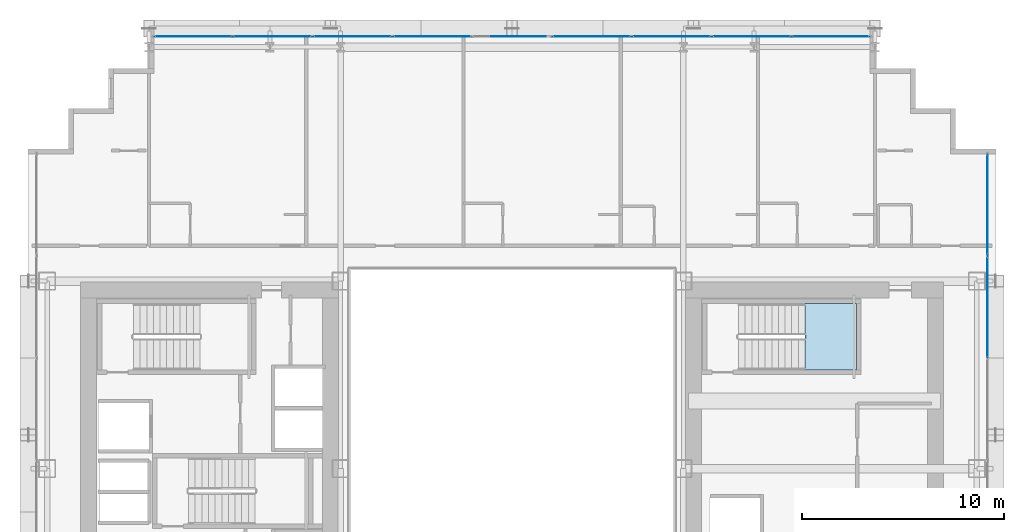
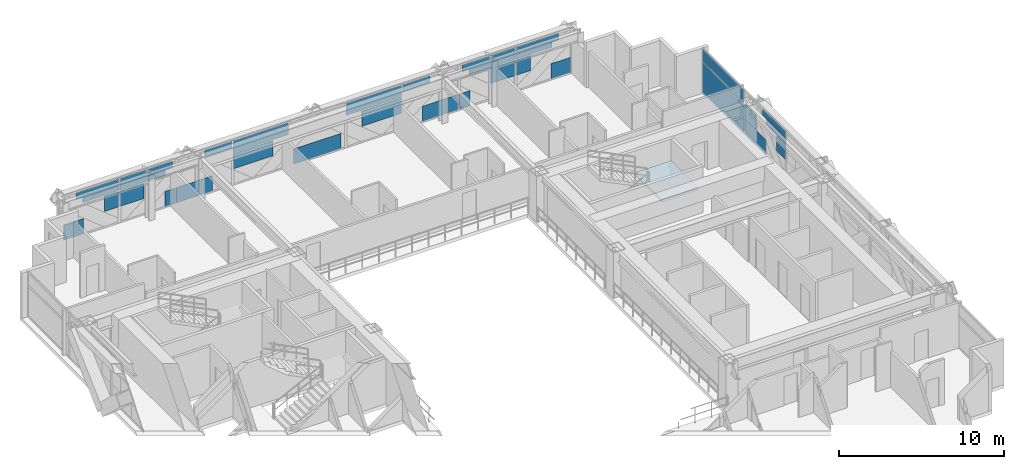
# One storey, part 27 of 38: 32 plates, 1 slab, 3 elements without a shape of their own.
"""IFC4 building model written with IfcOpenShell, lengths in metres."""

from ifc_helpers import new_model, si_unit, direction, frame, origin, origin_2d, place, context, subcontext, project, spatial, polyline, rectangle, outline, extrude, source, transform, mapped, material, layer, layer_set, type_object, element, aggregate, save


model = new_model("IFC4")

# Units and contexts
model_context = context("Model", 3, precision=1e-05, world=origin(), true_north=direction((0.0, 1.0)))
body_context = subcontext(model_context, "Body", "Model", "MODEL_VIEW")
ifc_project = project(units=[si_unit("LENGTHUNIT", "METRE"), si_unit("AREAUNIT", "SQUARE_METRE"), si_unit("VOLUMEUNIT", "CUBIC_METRE"), si_unit("PLANEANGLEUNIT", "RADIAN"), si_unit("MASSUNIT", "GRAM", prefix="KILO")], contexts=[model_context])

# Site, building, storey
site_placement = place(None, origin())
site = spatial("IfcSite", under=ifc_project, at=site_placement, CompositionType="ELEMENT")
building_placement = place(site_placement, origin())
building = spatial("IfcBuilding", under=site, at=building_placement, Name="Ocotamira Hotel", CompositionType="ELEMENT")
storey_placement = place(building_placement, frame((0.0, 0.0, 60.0)))
storey = spatial("IfcBuildingStorey", under=building, at=storey_placement, Name="L14", CompositionType="ELEMENT", Elevation=60.0)

# Stair, slab
ifc_material_1 = material(Name="Concrete C40/50", Category="concrete")
stair_type = type_object("IfcStairType", Name="ST-CORE-1560", PredefinedType="HALF_TURN_STAIR", material=ifc_material_1)
stair_placement = place(storey_placement, origin())
stair = element("IfcStair", 1, at=stair_placement, inside=storey, type_object=stair_type, Name="L14 Exit Stair ST-4", PredefinedType="HALF_TURN_STAIR")
ifc_layer_1 = layer(ifc_material_1, 0.199951171875)
ifc_layer_set_1 = layer_set([ifc_layer_1], Name="Concrete C40/50")
slab_type = type_object("IfcSlabType", Name="SLB-LAND-200", PredefinedType="LANDING", material=ifc_layer_set_1)
slab_placement = place(storey_placement, frame((0.0, 0.0, 1.60009765625)))
slab = element("IfcSlab", 2, at=slab_placement, type_object=slab_type, Name="ST-4 landing 1", PredefinedType="LANDING", context=body_context, shape_type="SweptSolid", body=[
    extrude(outline(polyline([(46.530029296875, 33.050048828125), (49.090087890625, 33.050048828125), (49.090087890625, 36.330078125), (46.530029296875, 36.330078125), (46.530029296875, 33.050048828125)])), origin(), (0.0, 0.0, 1.0), 0.199951171875),
])
aggregate(stair, [slab])

# Curtain wall, plates
ifc_material_2 = material(Name="Anodised pale-metal aluminium and solar glass", Category="aluminium")
ifc_layer_2 = layer(ifc_material_2, 0.179931640625)
ifc_layer_set_2 = layer_set([ifc_layer_2], Name="Anodised pale-metal aluminium and solar glass")
curtain_wall_type = type_object("IfcCurtainWallType", Name="CW-SYS2-Z1", PredefinedType="NOTDEFINED", material=ifc_layer_set_2)
curtain_wall_1_placement = place(storey_placement, origin())
curtain_wall_1 = element("IfcCurtainWall", 3, at=curtain_wall_1_placement, inside=storey, type_object=curtain_wall_type, Name="L14 Curtain Wall CW-2 CW-L14-N", PredefinedType="NOTDEFINED")
ifc_material_3 = material(Name="Double-silver low-E insulated solar glass", Category="glass")
ifc_layer_3 = layer(ifc_material_3, 0.031982421875)
ifc_layer_set_3 = layer_set([ifc_layer_3], Name="Double-silver low-E insulated solar glass")
plate_type = type_object("IfcPlateType", Name="CWP-VISION-32", PredefinedType="CURTAIN_PANEL", material=ifc_layer_set_3)
shared_shape_1 = source(origin(), body_context, "Body", "SweptSolid", [
    extrude(rectangle(XDim=3.87548828125, YDim=0.031982421875, at=origin_2d()), origin(), (0.0, 0.0, 1.0), 0.887451171875),
])
plate_1_placement = place(storey_placement, frame((28.04443359375, 49.580078125, 2.3876953125), z_axis=(0.0, 0.0, 1.0), x_axis=(1.0, 0.0, 0.0)))
plate_1 = element("IfcPlate", 4, at=plate_1_placement, type_object=plate_type, Name="CW-2 panel 4.2", PredefinedType="CURTAIN_PANEL", context=body_context, shape_type="MappedRepresentation", body=[
    mapped(shared_shape_1, transform((0.0, 0.0, 0.0), scale=1.0)),
])
plate_2_placement = place(storey_placement, frame((35.95556640625, 49.580078125, 2.3876953125), z_axis=(0.0, 0.0, 1.0), x_axis=(1.0, 0.0, 0.0)))
plate_2 = element("IfcPlate", 5, at=plate_2_placement, type_object=plate_type, Name="CW-2 panel 6.2", PredefinedType="CURTAIN_PANEL", context=body_context, shape_type="MappedRepresentation", body=[
    mapped(shared_shape_1, transform((0.0, 0.0, 0.0), scale=1.0)),
])

curtain_wall_2_placement = place(storey_placement, origin())
curtain_wall_2 = element("IfcCurtainWall", 6, at=curtain_wall_2_placement, inside=storey, type_object=curtain_wall_type, Name="L14 Curtain Wall CW-2 CW-L14-E", PredefinedType="NOTDEFINED")
shared_shape_2 = source(origin(), body_context, "Body", "SweptSolid", [
    extrude(rectangle(XDim=4.9658203125, YDim=0.031982421875, at=origin_2d()), origin(), (0.0, 0.0, 1.0), 2.237548828125),
])
plate_3_placement = place(storey_placement, frame((55.580078125, 41.237060546875, 0.0751953125), z_axis=(0.0, 0.0, 1.0), x_axis=(0.0, 1.0, 0.0)))
plate_3 = element("IfcPlate", 7, at=plate_3_placement, type_object=plate_type, Name="CW-2 panel 7.1", PredefinedType="CURTAIN_PANEL", context=body_context, shape_type="MappedRepresentation", body=[
    mapped(shared_shape_2, transform((0.0, 0.0, 0.0), scale=1.0)),
])
shared_shape_3 = source(origin(), body_context, "Body", "SweptSolid", [
    extrude(rectangle(XDim=4.9658203125, YDim=0.031982421875, at=origin_2d()), origin(), (0.0, 0.0, 1.0), 0.887451171875),
])
plate_4_placement = place(storey_placement, frame((55.580078125, 41.237060546875, 2.3876953125), z_axis=(0.0, 0.0, 1.0), x_axis=(0.0, 1.0, 0.0)))
plate_4 = element("IfcPlate", 8, at=plate_4_placement, type_object=plate_type, Name="CW-2 panel 7.2", PredefinedType="CURTAIN_PANEL", context=body_context, shape_type="MappedRepresentation", body=[
    mapped(shared_shape_3, transform((0.0, 0.0, 0.0), scale=1.0)),
])

# Plate
shared_shape_4 = source(origin(), body_context, "Body", "SweptSolid", [
    extrude(rectangle(XDim=1.382568359375, YDim=0.031982421875, at=origin_2d()), origin(), (0.0, 0.0, 1.0), 1.11865234375),
])
plate_5_placement = place(storey_placement, frame((14.97119140625, 49.580078125, 0.0751953125), z_axis=(0.0, 0.0, 1.0), x_axis=(1.0, 0.0, 0.0)))
plate_5 = element("IfcPlate", 9, at=plate_5_placement, type_object=plate_type, Name="CW-2 panel 1.1.1", PredefinedType="CURTAIN_PANEL", context=body_context, shape_type="MappedRepresentation", body=[
    mapped(shared_shape_4, transform((0.0, 0.0, 0.0), scale=1.0)),
])

plate_6_placement = place(storey_placement, frame((49.02880859375, 49.580078125, 0.0751953125), z_axis=(0.0, 0.0, 1.0), x_axis=(1.0, 0.0, 0.0)))
plate_6 = element("IfcPlate", 10, at=plate_6_placement, type_object=plate_type, Name="CW-2 panel 9.1.2", PredefinedType="CURTAIN_PANEL", context=body_context, shape_type="MappedRepresentation", body=[
    mapped(shared_shape_4, transform((0.0, 0.0, 0.0), scale=1.0)),
])

shared_shape_5 = source(origin(), body_context, "Body", "SweptSolid", [
    extrude(rectangle(XDim=1.012451171875, YDim=0.031982421875, at=origin_2d()), origin(), (0.0, 0.0, 1.0), 1.11865234375),
])
plate_7_placement = place(storey_placement, frame((17.609375, 49.580078125, 1.19384765625), z_axis=(0.0, 0.0, 1.0), x_axis=(1.0, 0.0, 0.0)))
plate_7 = element("IfcPlate", 11, at=plate_7_placement, type_object=plate_type, Name="CW-2 panel 1.1.2", PredefinedType="CURTAIN_PANEL", context=body_context, shape_type="MappedRepresentation", body=[
    mapped(shared_shape_5, transform((0.0, 0.0, 0.0), scale=1.0)),
])

plate_8_placement = place(storey_placement, frame((46.390625, 49.580078125, 1.19384765625), z_axis=(0.0, 0.0, 1.0), x_axis=(1.0, 0.0, 0.0)))
plate_8 = element("IfcPlate", 12, at=plate_8_placement, type_object=plate_type, Name="CW-2 panel 9.1.1", PredefinedType="CURTAIN_PANEL", context=body_context, shape_type="MappedRepresentation", body=[
    mapped(shared_shape_5, transform((0.0, 0.0, 0.0), scale=1.0)),
])

shared_shape_6 = source(origin(), body_context, "Body", "SweptSolid", [
    extrude(rectangle(XDim=2.9755859375, YDim=0.031982421875, at=origin_2d()), origin(), (0.0, 0.0, 1.0), 0.5107421875),
])
plate_9_placement = place(storey_placement, frame((16.627685546875, 49.580078125, 2.76416015625), z_axis=(0.0, 0.0, 1.0), x_axis=(1.0, 0.0, 0.0)))
plate_9 = element("IfcPlate", 13, at=plate_9_placement, type_object=plate_type, Name="CW-2 panel 1.2.1", PredefinedType="CURTAIN_PANEL", context=body_context, shape_type="MappedRepresentation", body=[
    mapped(shared_shape_6, transform((0.0, 0.0, 0.0), scale=1.0)),
])

plate_10_placement = place(storey_placement, frame((47.372314453125, 49.580078125, 2.76416015625), z_axis=(0.0, 0.0, 1.0), x_axis=(1.0, 0.0, 0.0)))
plate_10 = element("IfcPlate", 14, at=plate_10_placement, type_object=plate_type, Name="CW-2 panel 9.2.2", PredefinedType="CURTAIN_PANEL", context=body_context, shape_type="MappedRepresentation", body=[
    mapped(shared_shape_6, transform((0.0, 0.0, 0.0), scale=1.0)),
])

shared_shape_7 = source(origin(), body_context, "Body", "SweptSolid", [
    extrude(rectangle(XDim=2.504638671875, YDim=0.031982421875, at=origin_2d()), origin(), (0.0, 0.0, 1.0), 0.345458984375),
])
plate_11_placement = place(storey_placement, frame((16.86328125, 49.580078125, 2.3876953125), z_axis=(0.0, 0.0, 1.0), x_axis=(1.0, 0.0, 0.0)))
plate_11 = element("IfcPlate", 15, at=plate_11_placement, type_object=plate_type, Name="CW-2 panel 1.2.2", PredefinedType="CURTAIN_PANEL", context=body_context, shape_type="MappedRepresentation", body=[
    mapped(shared_shape_7, transform((0.0, 0.0, 0.0), scale=1.0)),
])

plate_12_placement = place(storey_placement, frame((47.13671875, 49.580078125, 2.3876953125), z_axis=(0.0, 0.0, 1.0), x_axis=(1.0, 0.0, 0.0)))
plate_12 = element("IfcPlate", 16, at=plate_12_placement, type_object=plate_type, Name="CW-2 panel 9.2.1", PredefinedType="CURTAIN_PANEL", context=body_context, shape_type="MappedRepresentation", body=[
    mapped(shared_shape_7, transform((0.0, 0.0, 0.0), scale=1.0)),
])

shared_shape_8 = source(origin(), body_context, "Body", "SweptSolid", [
    extrude(rectangle(XDim=1.701416015625, YDim=0.031982421875, at=origin_2d()), origin(), (0.0, 0.0, 1.0), 1.11865234375),
])
plate_13_placement = place(storey_placement, frame((19.046142578125, 49.580078125, 1.19384765625), z_axis=(0.0, 0.0, 1.0), x_axis=(1.0, 0.0, 0.0)))
plate_13 = element("IfcPlate", 17, at=plate_13_placement, type_object=plate_type, Name="CW-2 panel 2.1.1", PredefinedType="CURTAIN_PANEL", context=body_context, shape_type="MappedRepresentation", body=[
    mapped(shared_shape_8, transform((0.0, 0.0, 0.0), scale=1.0)),
])

plate_14_placement = place(storey_placement, frame((44.953857421875, 49.580078125, 1.19384765625), z_axis=(0.0, 0.0, 1.0), x_axis=(1.0, 0.0, 0.0)))
plate_14 = element("IfcPlate", 18, at=plate_14_placement, type_object=plate_type, Name="CW-2 panel 8.1.2", PredefinedType="CURTAIN_PANEL", context=body_context, shape_type="MappedRepresentation", body=[
    mapped(shared_shape_8, transform((0.0, 0.0, 0.0), scale=1.0)),
])

shared_shape_9 = source(origin(), body_context, "Body", "SweptSolid", [
    extrude(rectangle(XDim=0.733642578125, YDim=0.031982421875, at=origin_2d()), origin(), (0.0, 0.0, 1.0), 1.11865234375),
])
plate_15_placement = place(storey_placement, frame((21.704345703125, 49.580078125, 0.0751953125), z_axis=(0.0, 0.0, 1.0), x_axis=(1.0, 0.0, 0.0)))
plate_15 = element("IfcPlate", 19, at=plate_15_placement, type_object=plate_type, Name="CW-2 panel 2.1.2", PredefinedType="CURTAIN_PANEL", context=body_context, shape_type="MappedRepresentation", body=[
    mapped(shared_shape_9, transform((0.0, 0.0, 0.0), scale=1.0)),
])

plate_16_placement = place(storey_placement, frame((42.295654296875, 49.580078125, 0.0751953125), z_axis=(0.0, 0.0, 1.0), x_axis=(1.0, 0.0, 0.0)))
plate_16 = element("IfcPlate", 20, at=plate_16_placement, type_object=plate_type, Name="CW-2 panel 8.1.1", PredefinedType="CURTAIN_PANEL", context=body_context, shape_type="MappedRepresentation", body=[
    mapped(shared_shape_9, transform((0.0, 0.0, 0.0), scale=1.0)),
])

shared_shape_10 = source(origin(), body_context, "Body", "SweptSolid", [
    extrude(rectangle(XDim=3.193603515625, YDim=0.031982421875, at=origin_2d()), origin(), (0.0, 0.0, 1.0), 0.376708984375),
])
plate_17_placement = place(storey_placement, frame((19.792236328125, 49.580078125, 2.3876953125), z_axis=(0.0, 0.0, 1.0), x_axis=(1.0, 0.0, 0.0)))
plate_17 = element("IfcPlate", 21, at=plate_17_placement, type_object=plate_type, Name="CW-2 panel 2.2.1", PredefinedType="CURTAIN_PANEL", context=body_context, shape_type="MappedRepresentation", body=[
    mapped(shared_shape_10, transform((0.0, 0.0, 0.0), scale=1.0)),
])

plate_18_placement = place(storey_placement, frame((44.207763671875, 49.580078125, 2.3876953125), z_axis=(0.0, 0.0, 1.0), x_axis=(1.0, 0.0, 0.0)))
plate_18 = element("IfcPlate", 22, at=plate_18_placement, type_object=plate_type, Name="CW-2 panel 8.2.2", PredefinedType="CURTAIN_PANEL", context=body_context, shape_type="MappedRepresentation", body=[
    mapped(shared_shape_10, transform((0.0, 0.0, 0.0), scale=1.0)),
])

shared_shape_11 = source(origin(), body_context, "Body", "SweptSolid", [
    extrude(rectangle(XDim=3.664306640625, YDim=0.031982421875, at=origin_2d()), origin(), (0.0, 0.0, 1.0), 0.5107421875),
])
plate_19_placement = place(storey_placement, frame((20.027587890625, 49.580078125, 2.76416015625), z_axis=(0.0, 0.0, 1.0), x_axis=(1.0, 0.0, 0.0)))
plate_19 = element("IfcPlate", 23, at=plate_19_placement, type_object=plate_type, Name="CW-2 panel 2.2.2", PredefinedType="CURTAIN_PANEL", context=body_context, shape_type="MappedRepresentation", body=[
    mapped(shared_shape_11, transform((0.0, 0.0, 0.0), scale=1.0)),
])

plate_20_placement = place(storey_placement, frame((43.972412109375, 49.580078125, 2.76416015625), z_axis=(0.0, 0.0, 1.0), x_axis=(1.0, 0.0, 0.0)))
plate_20 = element("IfcPlate", 24, at=plate_20_placement, type_object=plate_type, Name="CW-2 panel 8.2.1", PredefinedType="CURTAIN_PANEL", context=body_context, shape_type="MappedRepresentation", body=[
    mapped(shared_shape_11, transform((0.0, 0.0, 0.0), scale=1.0)),
])

shared_shape_12 = source(origin(), body_context, "Body", "SweptSolid", [
    extrude(rectangle(XDim=2.51123046875, YDim=0.031982421875, at=origin_2d()), origin(), (0.0, 0.0, 1.0), 1.11865234375),
])
plate_21_placement = place(storey_placement, frame((23.40673828125, 49.580078125, 0.0751953125), z_axis=(0.0, 0.0, 1.0), x_axis=(1.0, 0.0, 0.0)))
plate_21 = element("IfcPlate", 25, at=plate_21_placement, type_object=plate_type, Name="CW-2 panel 3.1.1", PredefinedType="CURTAIN_PANEL", context=body_context, shape_type="MappedRepresentation", body=[
    mapped(shared_shape_12, transform((0.0, 0.0, 0.0), scale=1.0)),
])

shared_shape_13 = source(origin(), body_context, "Body", "SweptSolid", [
    extrude(rectangle(XDim=1.88671875, YDim=0.031982421875, at=origin_2d()), origin(), (0.0, 0.0, 1.0), 0.5107421875),
])
plate_22_placement = place(storey_placement, frame((25.08349609375, 49.580078125, 2.76416015625), z_axis=(0.0, 0.0, 1.0), x_axis=(1.0, 0.0, 0.0)))
plate_22 = element("IfcPlate", 26, at=plate_22_placement, type_object=plate_type, Name="CW-2 panel 3.2.1", PredefinedType="CURTAIN_PANEL", context=body_context, shape_type="MappedRepresentation", body=[
    mapped(shared_shape_13, transform((0.0, 0.0, 0.0), scale=1.0)),
])

plate_23_placement = place(storey_placement, frame((38.91650390625, 49.580078125, 2.76416015625), z_axis=(0.0, 0.0, 1.0), x_axis=(1.0, 0.0, 0.0)))
plate_23 = element("IfcPlate", 27, at=plate_23_placement, type_object=plate_type, Name="CW-2 panel 7.2.1", PredefinedType="CURTAIN_PANEL", context=body_context, shape_type="MappedRepresentation", body=[
    mapped(shared_shape_13, transform((0.0, 0.0, 0.0), scale=1.0)),
])

shared_shape_14 = source(origin(), body_context, "Body", "SweptSolid", [
    extrude(rectangle(XDim=2.790283203125, YDim=0.031982421875, at=origin_2d()), origin(), (0.0, 0.0, 1.0), 1.11865234375),
])
plate_24_placement = place(storey_placement, frame((27.501708984375, 49.580078125, 1.19384765625), z_axis=(0.0, 0.0, 1.0), x_axis=(1.0, 0.0, 0.0)))
plate_24 = element("IfcPlate", 28, at=plate_24_placement, type_object=plate_type, Name="CW-2 panel 4.1.1", PredefinedType="CURTAIN_PANEL", context=body_context, shape_type="MappedRepresentation", body=[
    mapped(shared_shape_14, transform((0.0, 0.0, 0.0), scale=1.0)),
])

plate_25_placement = place(storey_placement, frame((36.498291015625, 49.580078125, 1.19384765625), z_axis=(0.0, 0.0, 1.0), x_axis=(1.0, 0.0, 0.0)))
plate_25 = element("IfcPlate", 29, at=plate_25_placement, type_object=plate_type, Name="CW-2 panel 6.1.1", PredefinedType="CURTAIN_PANEL", context=body_context, shape_type="MappedRepresentation", body=[
    mapped(shared_shape_14, transform((0.0, 0.0, 0.0), scale=1.0)),
])

shared_shape_15 = source(origin(), body_context, "Body", "SweptSolid", [
    extrude(rectangle(XDim=3.324951171875, YDim=0.031982421875, at=origin_2d()), origin(), (0.0, 0.0, 1.0), 1.11865234375),
])
plate_26_placement = place(storey_placement, frame((32.0, 49.580078125, 0.0751953125), z_axis=(0.0, 0.0, 1.0), x_axis=(1.0, 0.0, 0.0)))
plate_26 = element("IfcPlate", 30, at=plate_26_placement, type_object=plate_type, Name="CW-2 panel 5.1.1", PredefinedType="CURTAIN_PANEL", context=body_context, shape_type="MappedRepresentation", body=[
    mapped(shared_shape_15, transform((0.0, 0.0, 0.0), scale=1.0)),
])

shared_shape_16 = source(origin(), body_context, "Body", "SweptSolid", [
    extrude(rectangle(XDim=2.511474609375, YDim=0.031982421875, at=origin_2d()), origin(), (0.0, 0.0, 1.0), 1.11865234375),
])
plate_27_placement = place(storey_placement, frame((40.59326171875, 49.580078125, 0.0751953125), z_axis=(0.0, 0.0, 1.0), x_axis=(1.0, 0.0, 0.0)))
plate_27 = element("IfcPlate", 31, at=plate_27_placement, type_object=plate_type, Name="CW-2 panel 7.1.1", PredefinedType="CURTAIN_PANEL", context=body_context, shape_type="MappedRepresentation", body=[
    mapped(shared_shape_16, transform((0.0, 0.0, 0.0), scale=1.0)),
])

aggregate(curtain_wall_1, [plate_5, plate_7, plate_9, plate_11, plate_13, plate_15, plate_17, plate_19, plate_21, plate_22, plate_24, plate_1, plate_26, plate_25, plate_2, plate_27, plate_23, plate_16, plate_14, plate_20, plate_18, plate_8, plate_6, plate_12, plate_10])

shared_shape_17 = source(origin(), body_context, "Body", "SweptSolid", [
    extrude(rectangle(XDim=2.58935546875, YDim=0.031982421875, at=origin_2d()), origin(), (0.0, 0.0, 1.0), 1.11865234375),
])
plate_28_placement = place(storey_placement, frame((55.580078125, 37.379638671875, 0.0751953125), z_axis=(0.0, 0.0, 1.0), x_axis=(0.0, 1.0, 0.0)))
plate_28 = element("IfcPlate", 32, at=plate_28_placement, type_object=plate_type, Name="CW-2 panel 6.1.2", PredefinedType="CURTAIN_PANEL", context=body_context, shape_type="MappedRepresentation", body=[
    mapped(shared_shape_17, transform((0.0, 0.0, 0.0), scale=1.0)),
])

shared_shape_18 = source(origin(), body_context, "Body", "SweptSolid", [
    extrude(rectangle(XDim=1.4033203125, YDim=0.031982421875, at=origin_2d()), origin(), (0.0, 0.0, 1.0), 1.11865234375),
])
plate_29_placement = place(storey_placement, frame((55.580078125, 37.97265625, 1.19384765625), z_axis=(0.0, 0.0, 1.0), x_axis=(0.0, 1.0, 0.0)))
plate_29 = element("IfcPlate", 33, at=plate_29_placement, type_object=plate_type, Name="CW-2 panel 6.1.3", PredefinedType="CURTAIN_PANEL", context=body_context, shape_type="MappedRepresentation", body=[
    mapped(shared_shape_18, transform((0.0, 0.0, 0.0), scale=1.0)),
])

shared_shape_19 = source(origin(), body_context, "Body", "SweptSolid", [
    extrude(rectangle(XDim=1.104736328125, YDim=0.031982421875, at=origin_2d()), origin(), (0.0, 0.0, 1.0), 1.11865234375),
])
plate_30_placement = place(storey_placement, frame((55.580078125, 34.220947265625, 1.19384765625), z_axis=(0.0, 0.0, 1.0), x_axis=(0.0, 1.0, 0.0)))
plate_30 = element("IfcPlate", 34, at=plate_30_placement, type_object=plate_type, Name="CW-2 panel 6.1.1", PredefinedType="CURTAIN_PANEL", context=body_context, shape_type="MappedRepresentation", body=[
    mapped(shared_shape_19, transform((0.0, 0.0, 0.0), scale=1.0)),
])

shared_shape_20 = source(origin(), body_context, "Body", "SweptSolid", [
    extrude(rectangle(XDim=2.796630859375, YDim=0.031982421875, at=origin_2d()), origin(), (0.0, 0.0, 1.0), 0.485107421875),
])
plate_31_placement = place(storey_placement, frame((55.580078125, 35.06689453125, 2.7900390625), z_axis=(0.0, 0.0, 1.0), x_axis=(0.0, 1.0, 0.0)))
plate_31 = element("IfcPlate", 35, at=plate_31_placement, type_object=plate_type, Name="CW-2 panel 6.2.2", PredefinedType="CURTAIN_PANEL", context=body_context, shape_type="MappedRepresentation", body=[
    mapped(shared_shape_20, transform((0.0, 0.0, 0.0), scale=1.0)),
])

shared_shape_21 = source(origin(), body_context, "Body", "SweptSolid", [
    extrude(rectangle(XDim=2.3701171875, YDim=0.031982421875, at=origin_2d()), origin(), (0.0, 0.0, 1.0), 0.367919921875),
])
plate_32_placement = place(storey_placement, frame((55.580078125, 34.853759765625, 2.3876953125), z_axis=(0.0, 0.0, 1.0), x_axis=(0.0, 1.0, 0.0)))
plate_32 = element("IfcPlate", 36, at=plate_32_placement, type_object=plate_type, Name="CW-2 panel 6.2.1", PredefinedType="CURTAIN_PANEL", context=body_context, shape_type="MappedRepresentation", body=[
    mapped(shared_shape_21, transform((0.0, 0.0, 0.0), scale=1.0)),
])

aggregate(curtain_wall_2, [plate_30, plate_28, plate_29, plate_32, plate_31, plate_3, plate_4])

save(model, "model.ifc")
